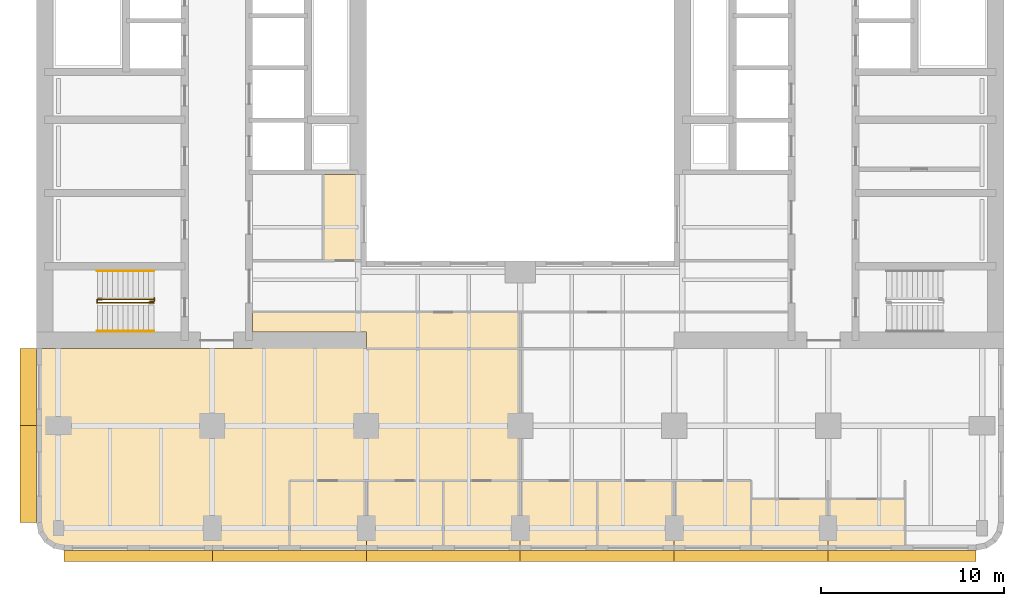
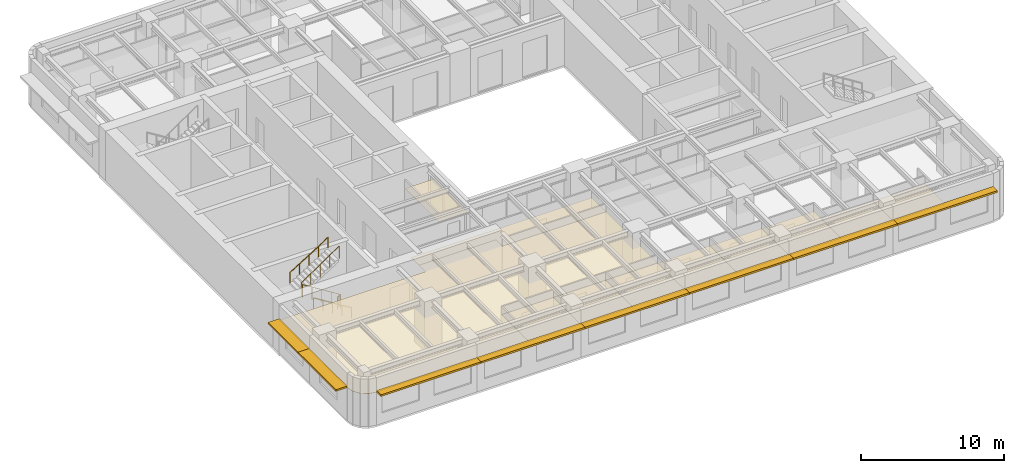
# One storey, part 9 of 11: 11 coverings, 8 shading devices, 4 railings.
"""IFC4 building model written with IfcOpenShell, lengths in metres."""

from ifc_helpers import new_model, si_unit, direction, frame, origin, origin_2d, place, context, subcontext, project, spatial, polyline, rectangle, circle, outline, extrude, material, layer, layer_set, type_object, element, save


model = new_model("IFC4")

# Units and contexts
model_context = context("Model", 3, precision=1e-05, world=origin(), true_north=direction((0.0, 1.0)))
body_context = subcontext(model_context, "Body", "Model", "MODEL_VIEW")
ifc_project = project(units=[si_unit("LENGTHUNIT", "METRE"), si_unit("AREAUNIT", "SQUARE_METRE"), si_unit("VOLUMEUNIT", "CUBIC_METRE"), si_unit("PLANEANGLEUNIT", "RADIAN"), si_unit("MASSUNIT", "GRAM", prefix="KILO")], contexts=[model_context])

# Site, building, storey
site_placement = place(None, origin())
site = spatial("IfcSite", under=ifc_project, at=site_placement, CompositionType="ELEMENT")
building_placement = place(site_placement, origin())
building = spatial("IfcBuilding", under=site, at=building_placement, Name="Claustro Exchange Tower", CompositionType="ELEMENT")
storey_placement = place(building_placement, frame((0.0, 0.0, 134.39990234375)))
storey = spatial("IfcBuildingStorey", under=building, at=storey_placement, Name="L30", CompositionType="ELEMENT", Elevation=134.39990234375)

# Coverings
ifc_material_1 = material(Name="Perforated metal ceiling tiles", Category="steel")
ifc_layer_1 = layer(ifc_material_1, 0.030029296875)
ifc_layer_set_1 = layer_set([ifc_layer_1], Name="Perforated metal ceiling tiles")
covering_type_1 = type_object("IfcCoveringType", Name="CL1 suspended metal ceiling", PredefinedType="CEILING", material=ifc_layer_set_1)
covering_1_placement = place(storey_placement, frame((0.0, 0.0, 2.800048828125)))
element("IfcCovering", 1, at=covering_1_placement, inside=storey, type_object=covering_type_1, Name="Ceiling CL1 L30-09", PredefinedType="CEILING", context=body_context, shape_type="SweptSolid", body=[
    extrude(outline(polyline([(-1.199951171875, 12.60009765625), (-1.199951171875, 3.10009765625), (-1.085693359375, 2.52587890625), (-0.7607421875, 2.039306640625), (-0.27392578125, 1.714111328125), (0.300048828125, 1.60009765625), (12.60009765625, 1.60009765625), (12.60009765625, 5.39990234375), (16.800048828125, 5.39990234375), (21.0, 5.39990234375), (25.199951171875, 5.39990234375), (25.199951171875, 12.60009765625), (16.800048828125, 12.60009765625), (16.800048828125, 13.5), (10.60009765625, 13.5), (10.60009765625, 12.60009765625), (-1.199951171875, 12.60009765625)])), origin(), (0.0, 0.0, 1.0), 0.030029296875),
])
ifc_material_2 = material(Name="Gypsum board ceiling", Category="gypsum board")
ifc_layer_2 = layer(ifc_material_2, 0.02490234375)
ifc_layer_set_2 = layer_set([ifc_layer_2], Name="Gypsum board ceiling")
covering_type_2 = type_object("IfcCoveringType", Name="CL2 plasterboard ceiling", PredefinedType="CEILING", material=ifc_layer_set_2)
covering_2_placement = place(storey_placement, frame((0.0, 0.0, 2.800048828125)))
element("IfcCovering", 2, at=covering_2_placement, inside=storey, type_object=covering_type_2, Name="Ceiling CL2 L30-01", PredefinedType="CEILING", context=body_context, shape_type="SweptSolid", body=[
    extrude(outline(polyline([(37.800048828125, 1.60009765625), (42.0, 1.60009765625), (42.0, 4.39990234375), (37.800048828125, 4.39990234375), (37.800048828125, 1.60009765625)])), origin(), (0.0, 0.0, 1.0), 0.025146484375),
])
covering_3_placement = place(storey_placement, frame((0.0, 0.0, 2.800048828125)))
element("IfcCovering", 3, at=covering_3_placement, inside=storey, type_object=covering_type_2, Name="Ceiling CL2 L30-02", PredefinedType="CEILING", context=body_context, shape_type="SweptSolid", body=[
    extrude(outline(polyline([(42.0, 1.60009765625), (46.199951171875, 1.60009765625), (46.199951171875, 4.39990234375), (42.0, 4.39990234375), (42.0, 1.60009765625)])), origin(), (0.0, 0.0, 1.0), 0.025146484375),
])
covering_4_placement = place(storey_placement, frame((0.0, 0.0, 2.800048828125)))
element("IfcCovering", 4, at=covering_4_placement, inside=storey, type_object=covering_type_2, Name="Ceiling CL2 L30-03", PredefinedType="CEILING", context=body_context, shape_type="SweptSolid", body=[
    extrude(outline(polyline([(12.60009765625, 1.60009765625), (16.800048828125, 1.60009765625), (16.800048828125, 5.39990234375), (12.60009765625, 5.39990234375), (12.60009765625, 1.60009765625)])), origin(), (0.0, 0.0, 1.0), 0.025146484375),
])
covering_5_placement = place(storey_placement, frame((0.0, 0.0, 2.800048828125)))
element("IfcCovering", 5, at=covering_5_placement, inside=storey, type_object=covering_type_2, Name="Ceiling CL2 L30-04", PredefinedType="CEILING", context=body_context, shape_type="SweptSolid", body=[
    extrude(outline(polyline([(16.800048828125, 1.60009765625), (21.0, 1.60009765625), (21.0, 5.39990234375), (16.800048828125, 5.39990234375), (16.800048828125, 1.60009765625)])), origin(), (0.0, 0.0, 1.0), 0.025146484375),
])
covering_6_placement = place(storey_placement, frame((0.0, 0.0, 2.800048828125)))
element("IfcCovering", 6, at=covering_6_placement, inside=storey, type_object=covering_type_2, Name="Ceiling CL2 L30-05", PredefinedType="CEILING", context=body_context, shape_type="SweptSolid", body=[
    extrude(outline(polyline([(21.0, 1.60009765625), (25.199951171875, 1.60009765625), (25.199951171875, 5.39990234375), (21.0, 5.39990234375), (21.0, 1.60009765625)])), origin(), (0.0, 0.0, 1.0), 0.025146484375),
])
covering_7_placement = place(storey_placement, frame((0.0, 0.0, 2.800048828125)))
element("IfcCovering", 7, at=covering_7_placement, inside=storey, type_object=covering_type_2, Name="Ceiling CL2 L30-06", PredefinedType="CEILING", context=body_context, shape_type="SweptSolid", body=[
    extrude(outline(polyline([(25.199951171875, 1.60009765625), (29.39990234375, 1.60009765625), (29.39990234375, 5.39990234375), (25.199951171875, 5.39990234375), (25.199951171875, 1.60009765625)])), origin(), (0.0, 0.0, 1.0), 0.025146484375),
])
covering_8_placement = place(storey_placement, frame((0.0, 0.0, 2.800048828125)))
element("IfcCovering", 8, at=covering_8_placement, inside=storey, type_object=covering_type_2, Name="Ceiling CL2 L30-07", PredefinedType="CEILING", context=body_context, shape_type="SweptSolid", body=[
    extrude(outline(polyline([(29.39990234375, 1.60009765625), (33.60009765625, 1.60009765625), (33.60009765625, 5.39990234375), (29.39990234375, 5.39990234375), (29.39990234375, 1.60009765625)])), origin(), (0.0, 0.0, 1.0), 0.025146484375),
])
covering_9_placement = place(storey_placement, frame((0.0, 0.0, 2.800048828125)))
element("IfcCovering", 9, at=covering_9_placement, inside=storey, type_object=covering_type_2, Name="Ceiling CL2 L30-08", PredefinedType="CEILING", context=body_context, shape_type="SweptSolid", body=[
    extrude(outline(polyline([(33.60009765625, 1.60009765625), (37.800048828125, 1.60009765625), (37.800048828125, 5.39990234375), (33.60009765625, 5.39990234375), (33.60009765625, 1.60009765625)])), origin(), (0.0, 0.0, 1.0), 0.025146484375),
])
covering_10_placement = place(storey_placement, frame((0.0, 0.0, 2.800048828125)))
element("IfcCovering", 10, at=covering_10_placement, inside=storey, type_object=covering_type_2, Name="Ceiling CL2 L30-11", PredefinedType="CEILING", context=body_context, shape_type="SweptSolid", body=[
    extrude(outline(polyline([(10.60009765625, 14.60009765625), (10.60009765625, 13.5), (16.800048828125, 13.5), (16.800048828125, 12.60009765625), (25.199951171875, 12.60009765625), (25.199951171875, 14.60009765625), (16.800048828125, 14.60009765625), (16.800048828125, 14.60009765625), (10.60009765625, 14.60009765625)])), origin(), (0.0, 0.0, 1.0), 0.025146484375),
])
covering_11_placement = place(storey_placement, frame((0.0, 0.0, 2.800048828125)))
element("IfcCovering", 11, at=covering_11_placement, inside=storey, type_object=covering_type_2, Name="Ceiling CL2 L30-15", PredefinedType="CEILING", context=body_context, shape_type="SweptSolid", body=[
    extrude(outline(polyline([(16.800048828125, 17.39990234375), (16.800048828125, 22.10009765625), (14.444091796875, 22.10009765625), (14.444091796875, 17.39990234375), (16.800048828125, 17.39990234375)])), origin(), (0.0, 0.0, 1.0), 0.025146484375),
])

# Railings
ifc_material_3 = material(Name="Steel balustrade, painted", Category="steel")
railing_type_1 = type_object("IfcRailingType", Name="GR2 1100 steel stair guard", PredefinedType="GUARDRAIL", material=ifc_material_3)
railing_1_placement = place(storey_placement, frame((5.199951171875, 15.10009765625, 0.175048828125)))
element("IfcRailing", 12, at=railing_1_placement, inside=storey, type_object=railing_type_1, Name="Stair well guard GR2 stair STWA L30", PredefinedType="GUARDRAIL", context=body_context, shape_type="SweptSolid", body=[
    extrude(circle(Radius=0.02392578125, at=origin_2d()), frame((0.0, 0.0, 1.076171875), z_axis=(-0.847979421464, 0.0, 0.530029150871), x_axis=(0.0, -1.0, 0.0)), (0.0, 0.0, 1.0), 3.632080078125),
    extrude(circle(Radius=0.02392578125, at=origin_2d()), frame((-3.079833984375, 0.0, 3.0009765625), z_axis=(0.0, 1.0, 0.0), x_axis=(-1.0, 0.0, 0.0)), (0.0, 0.0, 1.0), 0.199951171875),
    extrude(circle(Radius=0.02392578125, at=origin_2d()), frame((-3.079833984375, 0.199951171875, 3.0009765625), z_axis=(0.826201015165, 0.0, 0.563375436579), x_axis=(0.0, 1.0, 0.0)), (0.0, 0.0, 1.0), 3.727783203125),
    extrude(circle(Radius=0.02099609375, at=origin_2d()), origin(), (0.0, 0.0, 1.0), 1.052001953125),
    extrude(circle(Radius=0.02099609375, at=origin_2d()), frame((-0.77001953125, 0.0, 0.481201171875)), (0.0, 0.0, 1.0), 1.052001953125),
    extrude(circle(Radius=0.02099609375, at=origin_2d()), frame((-1.5400390625, 0.0, 0.96240234375)), (0.0, 0.0, 1.0), 1.052001953125),
    extrude(circle(Radius=0.02099609375, at=origin_2d()), frame((-2.309814453125, 0.0, 1.44384765625)), (0.0, 0.0, 1.0), 1.052001953125),
    extrude(circle(Radius=0.02099609375, at=origin_2d()), frame((-3.079833984375, 0.0, 1.925048828125)), (0.0, 0.0, 1.0), 1.052001953125),
    extrude(circle(Radius=0.02099609375, at=origin_2d()), frame((-3.079833984375, 0.199951171875, 1.925048828125)), (0.0, 0.0, 1.0), 1.052001953125),
    extrude(circle(Radius=0.02099609375, at=origin_2d()), frame((-2.309814453125, 0.199951171875, 2.4501953125)), (0.0, 0.0, 1.0), 1.052001953125),
    extrude(circle(Radius=0.02099609375, at=origin_2d()), frame((-1.5400390625, 0.199951171875, 2.97509765625)), (0.0, 0.0, 1.0), 1.052001953125),
    extrude(circle(Radius=0.02099609375, at=origin_2d()), frame((-0.77001953125, 0.199951171875, 3.5)), (0.0, 0.0, 1.0), 1.052001953125),
    extrude(circle(Radius=0.02099609375, at=origin_2d()), frame((0.0, 0.199951171875, 4.025146484375)), (0.0, 0.0, 1.0), 1.052001953125),
])
railing_2_placement = place(storey_placement, frame((5.0, 15.169921875, 0.0)))
element("IfcRailing", 13, at=railing_2_placement, inside=storey, type_object=railing_type_1, Name="Stair guard GR2 STWA L30", PredefinedType="GUARDRAIL", context=body_context, shape_type="SweptSolid", body=[
    extrude(circle(Radius=0.02392578125, at=origin_2d()), frame((0.0, 0.0, 1.076171875), z_axis=(0.0, 1.0, 0.0), x_axis=(-1.0, 0.0, 0.0)), (0.0, 0.0, 1.0), 0.030029296875),
    extrude(circle(Radius=0.02392578125, at=origin_2d()), frame((0.0, 0.030029296875, 1.076171875), z_axis=(1.0, 0.0, 0.0), x_axis=(0.0, 1.0, 0.0)), (0.0, 0.0, 1.0), 0.22509765625),
    extrude(circle(Radius=0.02392578125, at=origin_2d()), frame((0.22509765625, 0.030029296875, 1.076171875), z_axis=(0.0, 1.0, 0.0), x_axis=(-1.0, 0.0, 0.0)), (0.0, 0.0, 1.0), 0.179931640625),
    extrude(circle(Radius=0.02099609375, at=origin_2d()), origin(), (0.0, 0.0, 1.0), 1.052001953125),
    extrude(circle(Radius=0.02099609375, at=origin_2d()), frame((0.0, 0.030029296875, 0.0)), (0.0, 0.0, 1.0), 1.052001953125),
    extrude(circle(Radius=0.02099609375, at=origin_2d()), frame((0.22509765625, 0.030029296875, 0.0)), (0.0, 0.0, 1.0), 1.052001953125),
    extrude(circle(Radius=0.02099609375, at=origin_2d()), frame((0.22509765625, 0.2099609375, 0.0)), (0.0, 0.0, 1.0), 1.052001953125),
])
ifc_material_4 = material(Name="Stainless steel tube", Category="steel")
railing_type_2 = type_object("IfcRailingType", Name="HR1 900 stair handrail", PredefinedType="HANDRAIL", material=ifc_material_4)
railing_3_placement = place(storey_placement, frame((5.199951171875, 13.56005859375, 0.175048828125)))
element("IfcRailing", 14, at=railing_3_placement, inside=storey, type_object=railing_type_2, Name="Handrail HR1 stair STWA L30", PredefinedType="HANDRAIL", context=body_context, shape_type="SweptSolid", body=[
    extrude(circle(Radius=0.02392578125, at=origin_2d()), frame((0.0, 0.0, 0.8759765625), z_axis=(-0.847979421464, 0.0, 0.530029150871), x_axis=(0.0, -1.0, 0.0)), (0.0, 0.0, 1.0), 3.632080078125),
    extrude(circle(Radius=0.02099609375, at=origin_2d()), origin(), (0.0, 0.0, 1.0), 0.851806640625),
    extrude(circle(Radius=0.02099609375, at=origin_2d()), frame((-0.77001953125, 0.0, 0.481201171875)), (0.0, 0.0, 1.0), 0.851806640625),
    extrude(circle(Radius=0.02099609375, at=origin_2d()), frame((-1.5400390625, 0.0, 0.96240234375)), (0.0, 0.0, 1.0), 0.851806640625),
    extrude(circle(Radius=0.02099609375, at=origin_2d()), frame((-2.309814453125, 0.0, 1.44384765625)), (0.0, 0.0, 1.0), 0.851806640625),
    extrude(circle(Radius=0.02099609375, at=origin_2d()), frame((-3.079833984375, 0.0, 1.925048828125)), (0.0, 0.0, 1.0), 0.851806640625),
])
railing_4_placement = place(storey_placement, frame((2.1201171875, 16.840087890625, 2.275146484375)))
element("IfcRailing", 15, at=railing_4_placement, inside=storey, type_object=railing_type_2, Name="Handrail HR1 stair STWA L30", PredefinedType="HANDRAIL", context=body_context, shape_type="SweptSolid", body=[
    extrude(circle(Radius=0.02392578125, at=origin_2d()), frame((0.0, 0.0, 0.8759765625), z_axis=(0.847979421464, 0.0, 0.530029150871), x_axis=(0.0, 1.0, 0.0)), (0.0, 0.0, 1.0), 3.632080078125),
    extrude(circle(Radius=0.02099609375, at=origin_2d()), origin(), (0.0, 0.0, 1.0), 0.851806640625),
    extrude(circle(Radius=0.02099609375, at=origin_2d()), frame((0.77001953125, 0.0, 0.481201171875)), (0.0, 0.0, 1.0), 0.851806640625),
    extrude(circle(Radius=0.02099609375, at=origin_2d()), frame((1.5400390625, 0.0, 0.96240234375)), (0.0, 0.0, 1.0), 0.851806640625),
    extrude(circle(Radius=0.02099609375, at=origin_2d()), frame((2.309814453125, 0.0, 1.44384765625)), (0.0, 0.0, 1.0), 0.851806640625),
    extrude(circle(Radius=0.02099609375, at=origin_2d()), frame((3.079833984375, 0.0, 1.925048828125)), (0.0, 0.0, 1.0), 0.851806640625),
])

# Shading devices
ifc_material_5 = material(Name="Concrete HA-40 (C40/50), precast, white cement, acid-etched", Category="concrete")
ifc_layer_3 = layer(ifc_material_5, 0.14990234375)
ifc_layer_set_3 = layer_set([ifc_layer_3], Name="Concrete HA-40 (C40/50), precast, white cement, acid-etched")
shading_device_type_1 = type_object("IfcShadingDeviceType", Name="SS1 600 precast concrete SUNSHADE", PredefinedType="SHUTTER", material=ifc_layer_set_3)
shading_device_1_placement = place(storey_placement, frame((46.04248046875, 1.300048828125, 2.800048828125), z_axis=(0.0, 0.0, 1.0), x_axis=(-1.0, 0.0, 0.0)))
element("IfcShadingDevice", 16, at=shading_device_1_placement, inside=storey, type_object=shading_device_type_1, Name="Precast SUNSHADE SS1 L30", PredefinedType="SHUTTER", context=body_context, shape_type="SweptSolid", body=[
    extrude(rectangle(XDim=8.085205078125, YDim=0.60009765625, at=origin_2d()), origin(), (0.0, 0.0, 1.0), 0.14990234375),
])
for number, where, z_axis, x_axis, name in (
    (17, (37.800048828125, 1.300048828125, 2.800048828125), (0.0, 0.0, 1.0), (-1.0, 0.0, 0.0), "Precast SUNSHADE SS1 L30"),
    (18, (29.39990234375, 1.300048828125, 2.800048828125), (0.0, 0.0, 1.0), (-1.0, 0.0, 0.0), "Precast SUNSHADE SS1 L30"),
    (19, (21.0, 1.300048828125, 2.800048828125), (0.0, 0.0, 1.0), (-1.0, 0.0, 0.0), "Precast SUNSHADE SS1 L30"),
    (20, (12.60009765625, 1.300048828125, 2.800048828125), (0.0, 0.0, 1.0), (-1.0, 0.0, 0.0), "Precast SUNSHADE SS1 L30"),
):
    element("IfcShadingDevice", number, at=place(storey_placement, frame(where, z_axis=z_axis, x_axis=x_axis)), inside=storey, type_object=shading_device_type_1, Name=name, PredefinedType="SHUTTER", context=body_context, shape_type="SweptSolid", body=[
        extrude(rectangle(XDim=8.39990234375, YDim=0.60009765625, at=origin_2d()), origin(), (0.0, 0.0, 1.0), 0.14990234375),
    ])
shading_device_2_placement = place(storey_placement, frame((4.357421875, 1.300048828125, 2.800048828125), z_axis=(0.0, 0.0, 1.0), x_axis=(-1.0, 0.0, 0.0)))
element("IfcShadingDevice", 21, at=shading_device_2_placement, inside=storey, type_object=shading_device_type_1, Name="Precast SUNSHADE SS1 L30", PredefinedType="SHUTTER", context=body_context, shape_type="SweptSolid", body=[
    extrude(rectangle(XDim=8.085205078125, YDim=0.60009765625, at=origin_2d()), origin(), (0.0, 0.0, 1.0), 0.14990234375),
])
ifc_material_6 = material(Name="Concrete HA-40 (C40/50), precast, white cement, acid-etched", Category="concrete")
ifc_layer_4 = layer(ifc_material_6, 0.14990234375)
ifc_layer_set_4 = layer_set([ifc_layer_4], Name="Concrete HA-40 (C40/50), precast, white cement, acid-etched")
shading_device_type_2 = type_object("IfcShadingDeviceType", Name="SS2 900 precast concrete SUNSHADE", PredefinedType="SHUTTER", material=ifc_layer_set_4)
shading_device_3_placement = place(storey_placement, frame((-1.64990234375, 5.75732421875, 2.800048828125), z_axis=(0.0, 0.0, 1.0), x_axis=(0.0, 1.0, 0.0)))
element("IfcShadingDevice", 22, at=shading_device_3_placement, inside=storey, type_object=shading_device_type_2, Name="Precast SUNSHADE SS2 L30", PredefinedType="SHUTTER", context=body_context, shape_type="SweptSolid", body=[
    extrude(rectangle(XDim=5.28515625, YDim=0.89990234375, at=origin_2d()), origin(), (0.0, 0.0, 1.0), 0.14990234375),
])
shading_device_4_placement = place(storey_placement, frame((-1.64990234375, 10.5, 2.800048828125), z_axis=(0.0, 0.0, 1.0), x_axis=(0.0, 1.0, 0.0)))
element("IfcShadingDevice", 23, at=shading_device_4_placement, inside=storey, type_object=shading_device_type_2, Name="Precast SUNSHADE SS2 L30", PredefinedType="SHUTTER", context=body_context, shape_type="SweptSolid", body=[
    extrude(rectangle(XDim=4.199951171875, YDim=0.89990234375, at=origin_2d()), origin(), (0.0, 0.0, 1.0), 0.14990234375),
])

save(model, "model.ifc")
